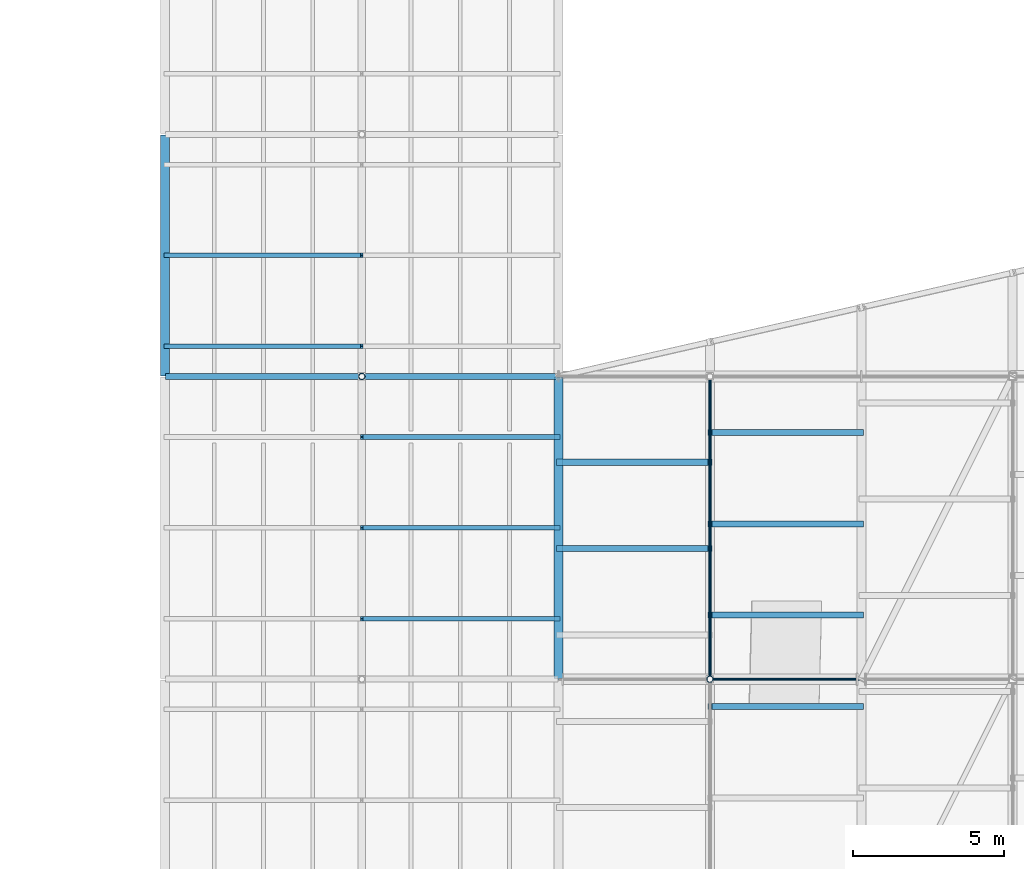
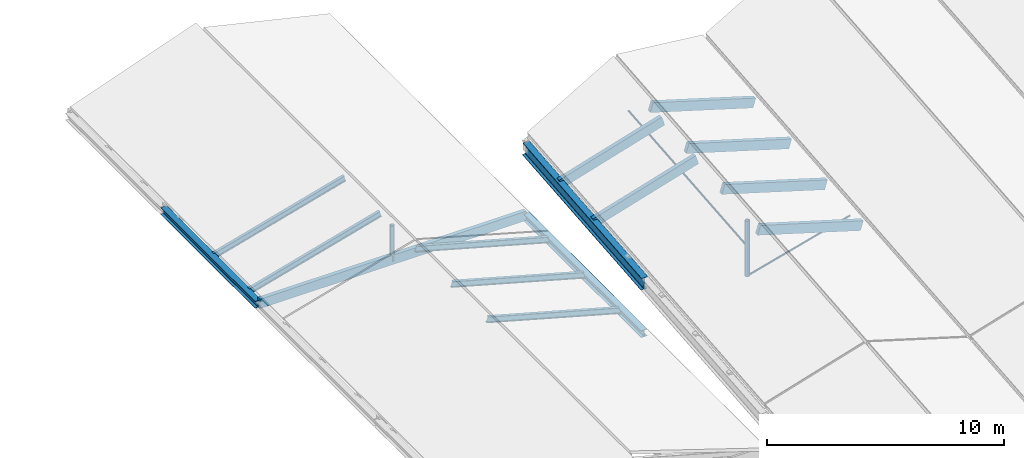
# One storey, part 47 of 90: 15 members, 4 beams.
"""IFC4 building model written with IfcOpenShell, lengths in metres."""

import ifcopenshell
import ifcopenshell.guid

model = None  # the IFC model being written
_history = None  # IfcOwnerHistory: only IFC2X3 demands one
_inside = {}  # id of a spatial element -> (the spatial element, [elements in it])
_under = {}  # id of a project, library or spatial element -> (it, [spatial elements below it])
_declared = {}  # id of a project -> (the project, [libraries it declares])
_typed = {}  # id of a type object -> (the type object, [elements of that type])
_made_of = {}  # id of a material, layer set ... -> (it, [elements and type objects made of it])


def new_model(schema):
    """Start an empty IFC model of exactly this schema.

    Asked for "IFC4X3", IfcOpenShell would pick the latest addendum, in which some entities
    have other attributes; the version numbers below select the first issue.
    IFC2X3 requires an IfcOwnerHistory on every rooted entity: one is made here for all.
    """
    global model, _history
    if schema == "IFC4X3":
        model = ifcopenshell.file(schema_version=(4, 3, 0, 0))
    else:
        model = ifcopenshell.file(schema=schema)
    _inside.clear()
    _under.clear()
    _declared.clear()
    _typed.clear()
    _made_of.clear()
    _history = None
    if model.schema == "IFC2X3":
        org = make("IfcOrganization", Name="unknown")
        user = make(
            "IfcPersonAndOrganization",
            ThePerson=make("IfcPerson", FamilyName="unknown"),
            TheOrganization=org,
        )
        app = make(
            "IfcApplication",
            ApplicationDeveloper=org,
            Version="unknown",
            ApplicationFullName="unknown",
            ApplicationIdentifier="unknown",
        )
        _history = make(
            "IfcOwnerHistory",
            OwningUser=user,
            OwningApplication=app,
            ChangeAction="ADDED",
            CreationDate=0,
        )
    return model


def make(cls, **values):
    """One entity of the class cls with the attributes given. An attribute that is None is left unset."""
    return model.create_entity(
        cls, **{name: value for name, value in values.items() if value is not None}
    )


def rooted(cls, **values):
    """An entity with a GlobalId (a new one), such as an element, a storey or a relation."""
    return make(cls, GlobalId=ifcopenshell.guid.new(), OwnerHistory=_history, **values)


def si_unit(unit_type, name, prefix=None):
    """IfcSIUnit, for example si_unit("LENGTHUNIT", "METRE", prefix="MILLI")."""
    return make("IfcSIUnit", UnitType=unit_type, Prefix=prefix, Name=name)


def assignment(units):
    """IfcUnitAssignment: the units of a project."""
    return None if units is None else make("IfcUnitAssignment", Units=units)


def point(xyz):
    """IfcCartesianPoint."""
    return None if xyz is None else make("IfcCartesianPoint", Coordinates=xyz)


def direction(xyz):
    """IfcDirection."""
    return None if xyz is None else make("IfcDirection", DirectionRatios=xyz)


def frame(location, z_axis=None, x_axis=None):
    """IfcAxis2Placement3D, a coordinate frame: its origin and axes. An axis left out is left unset."""
    return make(
        "IfcAxis2Placement3D",
        Location=point(location),
        Axis=direction(z_axis),
        RefDirection=direction(x_axis),
    )


def frame_2d(location, x_axis=None):
    """IfcAxis2Placement2D, a coordinate frame in the plane: its origin and x axis."""
    return make(
        "IfcAxis2Placement2D", Location=point(location), RefDirection=direction(x_axis)
    )


def origin():
    """The frame at (0, 0, 0) with its axes left unset."""
    return frame((0.0, 0.0, 0.0))


def origin_2d():
    """The frame at (0, 0) in the plane with its x axis left unset."""
    return frame_2d((0.0, 0.0))


def place(relative_to, where):
    """IfcLocalPlacement: puts the frame where relative to a parent placement (None: the world)."""
    return make(
        "IfcLocalPlacement", PlacementRelTo=relative_to, RelativePlacement=where
    )


def context(
    kind, dimensions, precision=None, world=None, true_north=None, identifier=None
):
    """IfcGeometricRepresentationContext, for example the 3D "Model" context."""
    return make(
        "IfcGeometricRepresentationContext",
        ContextIdentifier=identifier,
        ContextType=kind,
        CoordinateSpaceDimension=dimensions,
        Precision=precision,
        WorldCoordinateSystem=world,
        TrueNorth=true_north,
    )


def subcontext(parent, identifier, kind, view, scale=None):
    """IfcGeometricRepresentationSubContext, for example "Body" below "Model"."""
    return make(
        "IfcGeometricRepresentationSubContext",
        ContextIdentifier=identifier,
        ContextType=kind,
        ParentContext=parent,
        TargetScale=scale,
        TargetView=view,
    )


def project(units=None, contexts=None):
    """IfcProject with its units and contexts."""
    return rooted(
        "IfcProject",
        Name="project",
        RepresentationContexts=contexts,
        UnitsInContext=assignment(units),
    )


def spatial(cls, under=None, at=None, **own):
    """A site, building, storey or space (cls), placed at a placement, below another one or the project."""
    s = rooted(cls, ObjectPlacement=at, **own)
    if under is not None:
        _under.setdefault(under.id(), (under, []))[1].append(s)
    return s


def profile(cls, at=None, kind="AREA", **sizes):
    """A parametric profile (cls). Its sizes go by their IFC names, for example OverallWidth=200.0."""
    return make(cls, ProfileType=kind, Position=at, **sizes)


def rectangle(**sizes):
    """IfcRectangleProfileDef."""
    return profile("IfcRectangleProfileDef", **sizes)


def circle(**sizes):
    """IfcCircleProfileDef."""
    return profile("IfcCircleProfileDef", **sizes)


def hollow_circle(**sizes):
    """IfcCircleHollowProfileDef."""
    return profile("IfcCircleHollowProfileDef", **sizes)


def i_section(**sizes):
    """IfcIShapeProfileDef."""
    return profile("IfcIShapeProfileDef", **sizes)


def extrude(swept, where, along, depth):
    """IfcExtrudedAreaSolid: the profile swept, set in the frame where, extruded along a direction by depth."""
    return make(
        "IfcExtrudedAreaSolid",
        SweptArea=swept,
        Position=where,
        ExtrudedDirection=direction(along),
        Depth=depth,
    )


def shape(context_of_items, identifier, shape_type, items):
    """IfcShapeRepresentation: the items that make up one representation, for example the "Body"."""
    return make(
        "IfcShapeRepresentation",
        ContextOfItems=context_of_items,
        RepresentationIdentifier=identifier,
        RepresentationType=shape_type,
        Items=items,
    )


def material(Name=None, Category=None):
    """IfcMaterial."""
    return make("IfcMaterial", Name=Name, Category=Category)


def material_profile(
    of_material, cross_section, Name=None, Category=None, Priority=None
):
    """IfcMaterialProfile: a cross section and its material."""
    return make(
        "IfcMaterialProfile",
        Name=Name,
        Material=of_material,
        Profile=cross_section,
        Priority=Priority,
        Category=Category,
    )


def profile_set(profiles, Name=None, composite=None):
    """IfcMaterialProfileSet."""
    return make(
        "IfcMaterialProfileSet",
        Name=Name,
        MaterialProfiles=profiles,
        CompositeProfile=composite,
    )


def made_of(thing, what):
    """Note that an element or type object is made of a material, layer set ...; save() writes the relation."""
    if what is not None:
        _made_of.setdefault(what.id(), (what, []))[1].append(thing)
    return thing


def type_object(cls, material=None, **own):
    """A type object (cls), such as IfcWallType, which elements share."""
    return made_of(rooted(cls, **own), material)


def element(
    cls,
    number,
    at=None,
    inside=None,
    cuts=None,
    type_object=None,
    material=None,
    context=None,
    identifier="Body",
    shape_type=None,
    held_by="IfcProductDefinitionShape",
    body=None,
    shapes=None,
    **own,
):
    """One element of the class cls, such as IfcWall. Its Tag is "e" and its number.

    at: its placement. inside: the storey or other place that contains it. cuts: it is an
    opening in that element (IfcRelVoidsElement). A single representation is given by context,
    identifier, shape_type and body (its items); several are given by shapes. held_by: the class
    of the entity that holds the representations. save() writes the other relations.
    """
    e = rooted(cls, Tag="e%d" % number, ObjectPlacement=at, **own)
    if body is not None:
        shapes = [shape(context, identifier, shape_type, body)]
    if shapes is not None:
        e.Representation = make(held_by, Representations=shapes)
    if inside is not None:
        _inside.setdefault(inside.id(), (inside, []))[1].append(e)
    if cuts is not None:
        rooted(
            "IfcRelVoidsElement", RelatingBuildingElement=cuts, RelatedOpeningElement=e
        )
    if type_object is not None:
        _typed.setdefault(type_object.id(), (type_object, []))[1].append(e)
    return made_of(e, material)


def aggregate(whole, parts):
    """IfcRelAggregates: a whole, such as a stair, and the parts it consists of."""
    return rooted("IfcRelAggregates", RelatingObject=whole, RelatedObjects=parts)


def save(model, path):
    """Write the relations noted so far, then the file.

    IfcRelAggregates (storeys below a building ...), IfcRelContainedInSpatialStructure (elements
    in a storey), IfcRelDefinesByType, IfcRelAssociatesMaterial and IfcRelDeclares: one each for
    every whole, place, type object, material and project.
    """
    for whole, parts in _under.values():
        aggregate(whole, parts)
    for where, things in _inside.values():
        rooted(
            "IfcRelContainedInSpatialStructure",
            RelatedElements=things,
            RelatingStructure=where,
        )
    for kind, things in _typed.values():
        rooted("IfcRelDefinesByType", RelatedObjects=things, RelatingType=kind)
    for what, things in _made_of.values():
        rooted("IfcRelAssociatesMaterial", RelatedObjects=things, RelatingMaterial=what)
    for by, libraries in _declared.values():
        rooted("IfcRelDeclares", RelatingContext=by, RelatedDefinitions=libraries)
    model.write(path)


model = new_model("IFC4")

# Units and contexts
model_context = context("Model", 3, precision=1e-05, world=origin(), true_north=direction((0.0, 1.0)))
body_context = subcontext(model_context, "Body", "Model", "MODEL_VIEW")
ifc_project = project(units=[si_unit("LENGTHUNIT", "METRE"), si_unit("AREAUNIT", "SQUARE_METRE"), si_unit("VOLUMEUNIT", "CUBIC_METRE"), si_unit("PLANEANGLEUNIT", "RADIAN"), si_unit("MASSUNIT", "GRAM", prefix="KILO"), si_unit("THERMODYNAMICTEMPERATUREUNIT", "KELVIN"), si_unit("POWERUNIT", "WATT")], contexts=[model_context])

# Site, building, storey
site_placement = place(None, origin())
site = spatial("IfcSite", under=ifc_project, at=site_placement, CompositionType="ELEMENT")
building_placement = place(site_placement, origin())
building = spatial("IfcBuilding", under=site, at=building_placement, Name="Korenveer Ferry Terminal", CompositionType="ELEMENT")
storey_placement = place(building_placement, frame((0.0, 0.0, 22.199951171875)))
storey = spatial("IfcBuildingStorey", under=building, at=storey_placement, Name="RF", CompositionType="ELEMENT", Elevation=22.199951171875)

# Beams
ifc_material_1 = material(Name="Steel S355", Category="steel")
ifc_material_profile_1 = material_profile(ifc_material_1, i_section(OverallWidth=0.300048828125, OverallDepth=0.360107421875, WebThickness=0.012451171875, FlangeThickness=0.0224609375, FilletRadius=0.027099609375, at=origin_2d()), Name="HEB 360")
ifc_profile_set_1 = profile_set([ifc_material_profile_1], Name="Steel S355")
beam_type_1 = type_object("IfcBeamType", Name="STR-BM-HEB360", PredefinedType="BEAM", material=ifc_profile_set_1)
beam_1_placement = place(storey_placement, frame((40.0, 100.02001953125, -7.619873046875), z_axis=(0.0, 1.0, 0.0), x_axis=(-1.0, 0.0, 0.0)))
element("IfcBeam", 1, at=beam_1_placement, inside=storey, type_object=beam_type_1, Name="Wing eave beam PIERW 193", PredefinedType="BEAM", context=body_context, shape_type="SweptSolid", body=[
    extrude(i_section(OverallWidth=0.300048828125, OverallDepth=0.360107421875, WebThickness=0.012451171875, FlangeThickness=0.0224609375, FilletRadius=0.027099609375, at=origin_2d()), origin(), (0.0, 0.0, 1.0), 7.9599609375),
])
beam_2_placement = place(storey_placement, frame((53.0, 90.02001953125, -7.619873046875), z_axis=(0.0, 1.0, 0.0), x_axis=(-1.0, 0.0, 0.0)))
element("IfcBeam", 2, at=beam_2_placement, inside=storey, type_object=beam_type_1, Name="Wing eave beam PIERW 196", PredefinedType="BEAM", context=body_context, shape_type="SweptSolid", body=[
    extrude(i_section(OverallWidth=0.300048828125, OverallDepth=0.360107421875, WebThickness=0.012451171875, FlangeThickness=0.0224609375, FilletRadius=0.027099609375, at=origin_2d()), origin(), (0.0, 0.0, 1.0), 9.9599609375),
])
ifc_material_profile_2 = material_profile(ifc_material_1, i_section(OverallWidth=0.300048828125, OverallDepth=0.64990234375, WebThickness=0.01611328125, FlangeThickness=0.031005859375, FilletRadius=0.027099609375, at=origin_2d()), Name="HEB 650")
ifc_profile_set_2 = profile_set([ifc_material_profile_2], Name="Steel S355")
beam_type_2 = type_object("IfcBeamType", Name="STR-BM-HEB650", PredefinedType="BEAM", material=ifc_profile_set_2)
beam_3_placement = place(storey_placement, frame((53.0, 90.0, -5.045654296875), z_axis=(0.0, 0.995903364261, 0.090423940715), x_axis=(-1.0, 0.0, 0.0)))
element("IfcBeam", 3, at=beam_3_placement, inside=storey, type_object=beam_type_2, Name="Folded roof valley girder 22", PredefinedType="BEAM", context=body_context, shape_type="SweptSolid", body=[
    extrude(i_section(OverallWidth=0.300048828125, OverallDepth=0.64990234375, WebThickness=0.01611328125, FlangeThickness=0.031005859375, FilletRadius=0.027099609375, at=origin_2d()), origin(), (0.0, 0.0, 1.0), 10.041015625),
])

# Members
ifc_material_2 = material(Name="High-strength steel S460", Category="steel")
ifc_material_profile_3 = material_profile(ifc_material_2, circle(Radius=0.044921875, at=origin_2d()), Name="ROD D90")
ifc_profile_set_3 = profile_set([ifc_material_profile_3], Name="High-strength steel S460")
member_type_1 = type_object("IfcMemberType", Name="STR-CBL-D90", PredefinedType="USERDEFINED", material=ifc_profile_set_3)
member_1_placement = place(storey_placement, frame((63.0, 90.0, -5.045654296875), z_axis=(-0.965424337217, 0.0, -0.260683426993), x_axis=(0.0, -1.0, 0.0)))
element("IfcMember", 4, at=member_1_placement, inside=storey, type_object=member_type_1, Name="Roof tension tie cable 72", ObjectType="CABLE", PredefinedType="USERDEFINED", context=body_context, shape_type="SweptSolid", body=[
    extrude(circle(Radius=0.044921875, at=origin_2d()), origin(), (0.0, 0.0, 1.0), 5.178955078125),
])
member_2_placement = place(storey_placement, frame((58.0, 90.0, -4.885986328125), z_axis=(0.0, 0.995903364261, 0.090423940715), x_axis=(-1.0, 0.0, 0.0)))
element("IfcMember", 5, at=member_2_placement, inside=storey, type_object=member_type_1, Name="Longitudinal jaw-stay cable 103", ObjectType="CABLE", PredefinedType="USERDEFINED", context=body_context, shape_type="SweptSolid", body=[
    extrude(circle(Radius=0.044921875, at=origin_2d()), origin(), (0.0, 0.0, 1.0), 10.041015625),
])
ifc_material_3 = material(Name="Glulam GL28h", Category="wood")
ifc_material_profile_4 = material_profile(ifc_material_3, rectangle(XDim=0.199951171875, YDim=0.47998046875, at=origin_2d()), Name="GL 200x480")
ifc_profile_set_4 = profile_set([ifc_material_profile_4], Name="Glulam GL28h")
member_type_2 = type_object("IfcMemberType", Name="STR-PUR-GL200", PredefinedType="PURLIN", material=ifc_profile_set_4)
for number, where, z_axis, x_axis, name in (
    (6, (53.0, 94.31298828125, -4.49560546875), (0.957323074362, 0.0, 0.289019949647), (0.0, 1.0, 0.0), "Folded roof glulam purlin 29"),
    (7, (53.0, 97.165771484375, -4.23681640625), (0.957310140112, 0.0, 0.289062788401), (0.0, 1.0, 0.0), "Folded roof glulam purlin 30"),
    (8, (58.0, 89.09765625, -3.45947265625), (0.957310140112, 0.0, -0.289062788401), (0.0, 1.0, 0.0), "Folded roof glulam purlin 33"),
    (9, (58.0, 92.113525390625, -3.185791015625), (0.957323074362, 0.0, -0.289019949647), (0.0, 1.0, 0.0), "Folded roof glulam purlin 34"),
    (10, (58.0, 95.12939453125, -2.911865234375), (0.957310140112, 0.0, -0.289062788401), (0.0, 1.0, 0.0), "Folded roof glulam purlin 35"),
    (11, (58.0, 98.145263671875, -2.637939453125), (0.957310140112, 0.0, -0.289062788401), (0.0, 1.0, 0.0), "Folded roof glulam purlin 36"),
):
    element("IfcMember", number, at=place(storey_placement, frame(where, z_axis=z_axis, x_axis=x_axis)), inside=storey, type_object=member_type_2, Name=name, PredefinedType="PURLIN", context=body_context, shape_type="SweptSolid", body=[
        extrude(rectangle(XDim=0.199951171875, YDim=0.47998046875, at=origin_2d()), origin(), (0.0, 0.0, 1.0), 5.222900390625),
    ])
ifc_material_profile_5 = material_profile(ifc_material_1, i_section(OverallWidth=0.14990234375, OverallDepth=0.300048828125, WebThickness=0.007080078125, FlangeThickness=0.0107421875, FilletRadius=0.014892578125, at=origin_2d()), Name="IPE 300")
ifc_profile_set_5 = profile_set([ifc_material_profile_5], Name="Steel S355")
member_type_3 = type_object("IfcMemberType", Name="STR-RAF-IPE300", PredefinedType="RAFTER", material=ifc_profile_set_5)
for number, where, z_axis, x_axis, name in (
    (12, (46.5, 92.0, -5.820068359375), (0.963737469599, 0.0, -0.26685218697), (0.0, 1.0, 0.0), "Pitched roof rafter 138"),
    (13, (46.5, 95.0, -5.820068359375), (0.963737469599, 0.0, -0.26685218697), (0.0, 1.0, 0.0), "Pitched roof rafter 140"),
    (14, (46.5, 98.0, -5.820068359375), (0.963737469599, 0.0, -0.26685218697), (0.0, 1.0, 0.0), "Pitched roof rafter 142"),
    (15, (40.0, 101.0, -7.619873046875), (0.963737469599, 0.0, 0.26685218697), (0.0, 1.0, 0.0), "Pitched roof rafter 143"),
    (16, (40.0, 104.0, -7.619873046875), (0.963737469599, 0.0, 0.26685218697), (0.0, 1.0, 0.0), "Pitched roof rafter 145"),
):
    element("IfcMember", number, at=place(storey_placement, frame(where, z_axis=z_axis, x_axis=x_axis)), inside=storey, type_object=member_type_3, Name=name, PredefinedType="RAFTER", context=body_context, shape_type="SweptSolid", body=[
        extrude(i_section(OverallWidth=0.14990234375, OverallDepth=0.300048828125, WebThickness=0.007080078125, FlangeThickness=0.0107421875, FilletRadius=0.014892578125, at=origin_2d()), origin(), (0.0, 0.0, 1.0), 6.74462890625),
    ])

# Beam
ifc_material_profile_6 = material_profile(ifc_material_3, rectangle(XDim=0.199951171875, YDim=0.47998046875, at=origin_2d()), Name="GL 200x480")
ifc_profile_set_6 = profile_set([ifc_material_profile_6], Name="Glulam GL28h")
beam_type_3 = type_object("IfcBeamType", Name="STR-RFG-GL200", PredefinedType="USERDEFINED", material=ifc_profile_set_6)
beam_4_placement = place(storey_placement, frame((40.02001953125, 100.0, -7.56005859375), z_axis=(1.0, 0.0, 0.0), x_axis=(0.0, 1.0, 0.0)))
element("IfcBeam", 17, at=beam_4_placement, inside=storey, type_object=beam_type_3, Name="Wing roof collar tie PIERW 202", ObjectType="ROOF GIRDER", PredefinedType="USERDEFINED", context=body_context, shape_type="SweptSolid", body=[
    extrude(rectangle(XDim=0.199951171875, YDim=0.47998046875, at=origin_2d()), origin(), (0.0, 0.0, 1.0), 12.9599609375),
])

# Members
ifc_material_profile_7 = material_profile(ifc_material_1, hollow_circle(Radius=0.109619140625, WallThickness=0.012451171875, at=origin_2d()), Name="CHS 219.1x12.5")
ifc_profile_set_7 = profile_set([ifc_material_profile_7], Name="Steel S355")
member_type_4 = type_object("IfcMemberType", Name="STR-STT-CHS219", PredefinedType="STRUT", material=ifc_profile_set_7)
member_3_placement = place(storey_placement, frame((58.0, 90.0, -6.395751953125), z_axis=(0.0, 0.0, 1.0), x_axis=(1.0, 0.0, 0.0)))
element("IfcMember", 18, at=member_3_placement, inside=storey, type_object=member_type_4, Name="Roof king-post strut STTKP-Y90-B0", PredefinedType="STRUT", context=body_context, shape_type="SweptSolid", body=[
    extrude(hollow_circle(Radius=0.109619140625, WallThickness=0.012451171875, at=origin_2d()), origin(), (0.0, 0.0, 1.0), 2.85986328125),
])
member_4_placement = place(storey_placement, frame((46.5, 100.0, -7.619873046875), z_axis=(0.0, 0.0, 1.0), x_axis=(1.0, 0.0, 0.0)))
element("IfcMember", 19, at=member_4_placement, inside=storey, type_object=member_type_4, Name="Wing ridge strut STTWR-PIERW-Y100", PredefinedType="STRUT", context=body_context, shape_type="SweptSolid", body=[
    extrude(hollow_circle(Radius=0.109619140625, WallThickness=0.012451171875, at=origin_2d()), origin(), (0.0, 0.0, 1.0), 1.7998046875),
])

save(model, "model.ifc")
